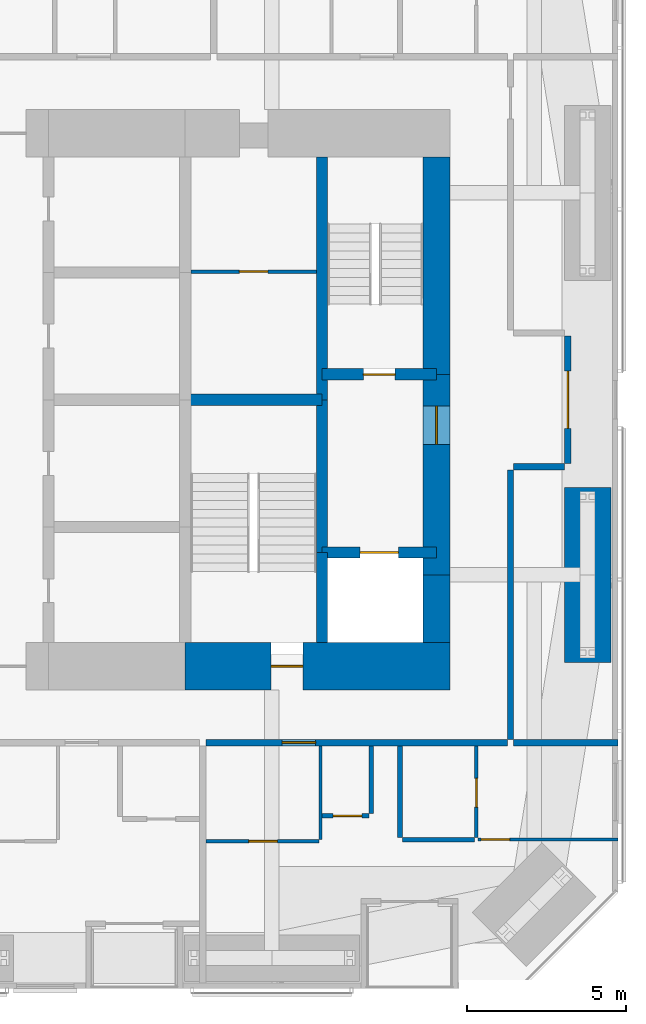
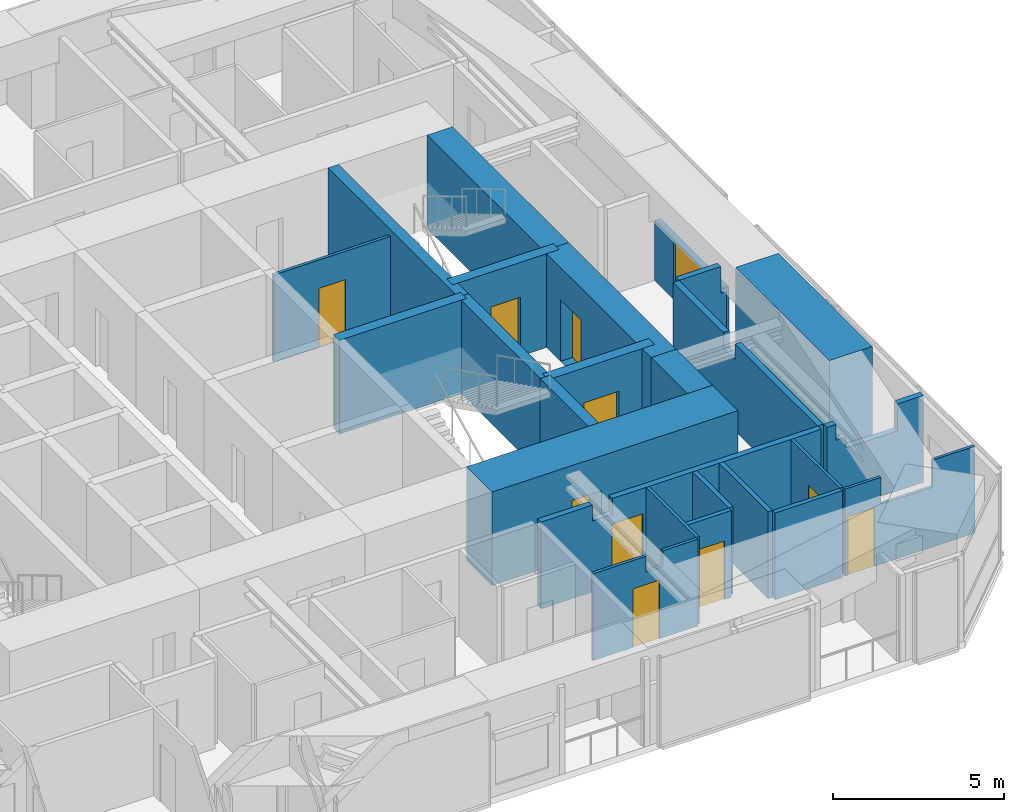
# One storey, part 21 of 25: 25 walls, 11 doors, 11 openings.
"""IFC4 building model written with IfcOpenShell, lengths in metres."""

from ifc_helpers import new_model, si_unit, direction, frame, frame_2d, origin, place, context, subcontext, project, spatial, polyline, rectangle, outline, extrude, material, layer, layer_set, constituent, constituent_set, type_object, element, fill, save


model = new_model("IFC4")

# Units and contexts
model_context = context("Model", 3, precision=1e-05, world=origin(), true_north=direction((0.0, 1.0)))
body_context = subcontext(model_context, "Body", "Model", "MODEL_VIEW")
ifc_project = project(units=[si_unit("LENGTHUNIT", "METRE"), si_unit("AREAUNIT", "SQUARE_METRE"), si_unit("VOLUMEUNIT", "CUBIC_METRE"), si_unit("PLANEANGLEUNIT", "RADIAN"), si_unit("MASSUNIT", "GRAM", prefix="KILO")], contexts=[model_context])

# Site, building, storey
site_placement = place(None, origin())
site = spatial("IfcSite", under=ifc_project, at=site_placement, CompositionType="ELEMENT")
building_placement = place(site_placement, origin())
building = spatial("IfcBuilding", under=site, at=building_placement, Name="Jalousie Tower", CompositionType="ELEMENT")
storey_placement = place(building_placement, frame((0.0, 0.0, 98.14990234375)))
storey = spatial("IfcBuildingStorey", under=building, at=storey_placement, Name="L26", CompositionType="ELEMENT", Elevation=98.14990234375)

# Walls
ifc_material_1 = material(Name="Concrete block ASTM C90", Category="concrete")
ifc_constituent_1 = constituent(ifc_material_1, Name="Body")
ifc_material_2 = material(Name="Render")
ifc_constituent_2 = constituent(ifc_material_2, Name="Finish")
ifc_constituent_set_1 = constituent_set(constituents=[ifc_constituent_1, ifc_constituent_2])
wall_type_1 = type_object("IfcWallType", Name="BATHROOM WALL 150", PredefinedType="PLUMBINGWALL", material=ifc_constituent_set_1)
wall_1_placement = place(storey_placement, frame((42.72509765625, 4.67578125, 0.0), z_axis=(0.0, 0.0, 1.0), x_axis=(1.0, 0.0, 0.0)))
element("IfcWall", 1, at=wall_1_placement, inside=storey, type_object=wall_type_1, Name="Bathroom Wall 150 L26", PredefinedType="PLUMBINGWALL", context=body_context, shape_type="SweptSolid", body=[
    extrude(rectangle(XDim=2.27490234375, YDim=0.14990234375, at=frame_2d((1.137451171875, 0.0))), origin(), (0.0, 0.0, 1.0), 3.110107421875),
])
wall_2_placement = place(storey_placement, frame((42.64990234375, 4.7509765625, 0.0), z_axis=(0.0, 0.0, 1.0), x_axis=(0.0, 1.0, 0.0)))
element("IfcWall", 2, at=wall_2_placement, inside=storey, type_object=wall_type_1, Name="Bathroom Wall 150 L26", PredefinedType="PLUMBINGWALL", context=body_context, shape_type="SweptSolid", body=[
    extrude(rectangle(XDim=2.8740234375, YDim=0.14990234375, at=frame_2d((1.43701171875, 0.0))), origin(), (0.0, 0.0, 1.0), 3.110107421875),
])

# Wall, opening, door
wall_3_placement = place(storey_placement, frame((40.199951171875, 5.425048828125, 0.0), z_axis=(0.0, 0.0, 1.0), x_axis=(1.0, 0.0, 0.0)))
wall_3 = element("IfcWall", 3, at=wall_3_placement, inside=storey, type_object=wall_type_1, Name="Bathroom Wall 150 L26", PredefinedType="PLUMBINGWALL", context=body_context, shape_type="SweptSolid", body=[
    extrude(rectangle(XDim=1.47509765625, YDim=0.14990234375, at=frame_2d((0.737548828125, 0.0))), origin(), (0.0, 0.0, 1.0), 3.110107421875),
])
opening_1_placement = place(wall_3_placement, frame((0.35009765625, 0.0, 0.0)))
opening_1 = element("IfcOpeningElement", 4, at=opening_1_placement, cuts=wall_3, Name="Opening D7", PredefinedType="OPENING", context=body_context, shape_type="SweptSolid", body=[
    extrude(rectangle(XDim=0.89990234375, YDim=2.10009765625, at=frame_2d((0.449951171875, 1.050048828125))), frame((0.0, 0.0849609375, 0.0), z_axis=(0.0, -1.0, 0.0), x_axis=(1.0, 0.0, 0.0)), (0.0, 0.0, 1.0), 0.169921875),
])
ifc_material_3 = material(Name="Timber door", Category="wood")
door_type_1 = type_object("IfcDoorType", Name="INTERNAL DOOR 900", OperationType="SINGLE_SWING_LEFT", PredefinedType="DOOR", material=ifc_material_3)
door_1_placement = place(opening_1_placement, origin())
door_1 = element("IfcDoor", 5, at=door_1_placement, inside=storey, type_object=door_type_1, Name="Apartment 2603 guest WC door", OperationType="SINGLE_SWING_RIGHT", OverallHeight=2.10009765625, OverallWidth=0.89990234375, PredefinedType="DOOR", context=body_context, shape_type="SweptSolid", body=[
    extrude(rectangle(XDim=0.89990234375, YDim=2.10009765625, at=frame_2d((0.449951171875, 1.050048828125))), frame((0.0, 0.02490234375, 0.0), z_axis=(0.0, -1.0, 0.0), x_axis=(1.0, 0.0, 0.0)), (0.0, 0.0, 1.0), 0.050048828125),
])
fill(opening_1, door_1)

# Wall
wall_4_placement = place(storey_placement, frame((41.75, 5.5, 0.0), z_axis=(0.0, 0.0, 1.0), x_axis=(0.0, 1.0, 0.0)))
element("IfcWall", 6, at=wall_4_placement, inside=storey, type_object=wall_type_1, Name="Bathroom Wall 150 L26", PredefinedType="PLUMBINGWALL", context=body_context, shape_type="SweptSolid", body=[
    extrude(rectangle(XDim=2.125, YDim=0.14990234375, at=frame_2d((1.0625, 0.0))), origin(), (0.0, 0.0, 1.0), 3.110107421875),
])

# Wall, opening, door
ifc_material_4 = material(Name="Concrete f'c 120 MPa", Category="concrete")
ifc_layer_1 = layer(ifc_material_4, 1.5)
ifc_layer_set_1 = layer_set([ifc_layer_1], Name="Concrete f'c 120 MPa")
wall_type_2 = type_object("IfcWallType", Name="CORE WALL 1500", PredefinedType="SHEAR", material=ifc_layer_set_1)
wall_5_placement = place(storey_placement, frame((35.89990234375, 10.125, 0.0), z_axis=(0.0, 0.0, 1.0), x_axis=(1.0, 0.0, 0.0)))
wall_5 = element("IfcWall", 7, at=wall_5_placement, inside=storey, type_object=wall_type_2, Name="Core wall SD L26", PredefinedType="SHEAR", context=body_context, shape_type="SweptSolid", body=[
    extrude(rectangle(XDim=8.3251953125, YDim=1.5, at=frame_2d((4.16259765625, 0.0))), origin(), (0.0, 0.0, 1.0), 3.35009765625),
])
opening_2_placement = place(wall_5_placement, frame((2.699951171875, 0.0, 0.0)))
opening_2 = element("IfcOpeningElement", 8, at=opening_2_placement, cuts=wall_5, Name="Opening D10", PredefinedType="OPENING", context=body_context, shape_type="SweptSolid", body=[
    extrude(rectangle(XDim=1.0, YDim=2.10009765625, at=frame_2d((0.5, 1.050048828125))), frame((0.0, 0.760009765625, 0.0), z_axis=(0.0, -1.0, 0.0), x_axis=(1.0, 0.0, 0.0)), (0.0, 0.0, 1.0), 1.52001953125),
])
ifc_material_5 = material(Name="Steel fire door", Category="steel")
door_type_2 = type_object("IfcDoorType", Name="STAIR DOOR 1000", OperationType="SINGLE_SWING_LEFT", PredefinedType="DOOR", material=ifc_material_5)
door_2_placement = place(opening_2_placement, origin())
door_2 = element("IfcDoor", 9, at=door_2_placement, inside=storey, type_object=door_type_2, Name="Exit stair C door", OperationType="SINGLE_SWING_RIGHT", OverallHeight=2.10009765625, OverallWidth=1.0, PredefinedType="DOOR", context=body_context, shape_type="SweptSolid", body=[
    extrude(rectangle(XDim=1.0, YDim=2.10009765625, at=frame_2d((0.5, 1.050048828125))), frame((0.0, 0.02490234375, 0.0), z_axis=(0.0, -1.0, 0.0), x_axis=(1.0, 0.0, 0.0)), (0.0, 0.0, 1.0), 0.050048828125),
])
fill(opening_2, door_2)

# Walls
ifc_material_6 = material(Name="Concrete f'c 120 MPa", Category="concrete")
ifc_layer_2 = layer(ifc_material_6, 0.35009765625)
ifc_layer_set_2 = layer_set([ifc_layer_2], Name="Concrete f'c 120 MPa")
wall_type_3 = type_object("IfcWallType", Name="CORE WALL 350", PredefinedType="SHEAR", material=ifc_layer_set_2)
wall_6_placement = place(storey_placement, frame((40.199951171875, 10.875, 0.0), z_axis=(0.0, 0.0, 1.0), x_axis=(0.0, 1.0, 0.0)))
element("IfcWall", 10, at=wall_6_placement, inside=storey, type_object=wall_type_3, Name="Core wall X40.2A L26", PredefinedType="SHEAR", context=body_context, shape_type="SweptSolid", body=[
    extrude(rectangle(XDim=2.824951171875, YDim=0.35009765625, at=frame_2d((1.41259765625, 0.0))), origin(), (0.0, 0.0, 1.0), 3.35009765625),
])
wall_7_placement = place(storey_placement, frame((40.199951171875, 13.699951171875, 0.0), z_axis=(0.0, 0.0, 1.0), x_axis=(0.0, 1.0, 0.0)))
element("IfcWall", 11, at=wall_7_placement, inside=storey, type_object=wall_type_3, Name="Core wall X40.2B L26", PredefinedType="SHEAR", context=body_context, shape_type="SweptSolid", body=[
    extrude(rectangle(XDim=4.800048828125, YDim=0.35009765625, at=frame_2d((2.39990234375, 0.0))), origin(), (0.0, 0.0, 1.0), 3.35009765625),
])
wall_8_placement = place(storey_placement, frame((40.199951171875, 18.5, 0.0), z_axis=(0.0, 0.0, 1.0), x_axis=(0.0, 1.0, 0.0)))
element("IfcWall", 12, at=wall_8_placement, inside=storey, type_object=wall_type_3, Name="Core wall X40.2C L26", PredefinedType="SHEAR", context=body_context, shape_type="SweptSolid", body=[
    extrude(rectangle(XDim=7.625, YDim=0.35009765625, at=frame_2d((3.8125, 0.0))), origin(), (0.0, 0.0, 1.0), 3.35009765625),
])
wall_9_placement = place(storey_placement, frame((35.89990234375, 18.5, 0.0), z_axis=(0.0, 0.0, 1.0), x_axis=(1.0, 0.0, 0.0)))
element("IfcWall", 13, at=wall_9_placement, inside=storey, type_object=wall_type_3, Name="Core wall Y35.9-18.5 L26", PredefinedType="SHEAR", context=body_context, shape_type="SweptSolid", body=[
    extrude(rectangle(XDim=4.300048828125, YDim=0.35009765625, at=frame_2d((2.14990234375, 0.0))), origin(), (0.0, 0.0, 1.0), 3.35009765625),
])

# Wall, opening, door
wall_10_placement = place(storey_placement, frame((40.199951171875, 13.699951171875, 0.0), z_axis=(0.0, 0.0, 1.0), x_axis=(1.0, 0.0, 0.0)))
wall_10 = element("IfcWall", 14, at=wall_10_placement, inside=storey, type_object=wall_type_3, Name="Core wall Y40.2-13.7 L26", PredefinedType="SHEAR", context=body_context, shape_type="SweptSolid", body=[
    extrude(rectangle(XDim=3.60009765625, YDim=0.35009765625, at=frame_2d((1.800048828125, 0.0))), origin(), (0.0, 0.0, 1.0), 3.35009765625),
])
opening_3_placement = place(wall_10_placement, frame((1.199951171875, 0.0, 0.0)))
opening_3 = element("IfcOpeningElement", 15, at=opening_3_placement, cuts=wall_10, Name="Opening LD2", PredefinedType="OPENING", context=body_context, shape_type="SweptSolid", body=[
    extrude(rectangle(XDim=1.199951171875, YDim=2.10009765625, at=frame_2d((0.60009765625, 1.050048828125))), frame((0.0, 0.18505859375, 0.0), z_axis=(0.0, -1.0, 0.0), x_axis=(1.0, 0.0, 0.0)), (0.0, 0.0, 1.0), 0.3701171875),
])
ifc_material_7 = material(Name="Steel lift landing door", Category="steel")
door_type_3 = type_object("IfcDoorType", Name="LIFT LANDING DOOR 1200", OperationType="SLIDING_TO_LEFT", PredefinedType="DOOR", material=ifc_material_7)
door_3_placement = place(opening_3_placement, origin())
door_3 = element("IfcDoor", 16, at=door_3_placement, inside=storey, type_object=door_type_3, Name="Lift F2 landing door", OperationType="SLIDING_TO_LEFT", OverallHeight=2.10009765625, OverallWidth=1.199951171875, PredefinedType="DOOR", context=body_context, shape_type="SweptSolid", body=[
    extrude(rectangle(XDim=1.199951171875, YDim=2.10009765625, at=frame_2d((0.60009765625, 1.050048828125))), frame((0.0, 0.02490234375, 0.0), z_axis=(0.0, -1.0, 0.0), x_axis=(1.0, 0.0, 0.0)), (0.0, 0.0, 1.0), 0.050048828125),
])
fill(opening_3, door_3)

wall_11_placement = place(storey_placement, frame((40.199951171875, 19.300048828125, 0.0), z_axis=(0.0, 0.0, 1.0), x_axis=(1.0, 0.0, 0.0)))
wall_11 = element("IfcWall", 17, at=wall_11_placement, inside=storey, type_object=wall_type_3, Name="Core wall Y40.2-19.3 L26", PredefinedType="SHEAR", context=body_context, shape_type="SweptSolid", body=[
    extrude(rectangle(XDim=3.60009765625, YDim=0.35009765625, at=frame_2d((1.800048828125, 0.0))), origin(), (0.0, 0.0, 1.0), 3.35009765625),
])
opening_4_placement = place(wall_11_placement, frame((1.300048828125, 0.0, 0.0)))
opening_4 = element("IfcOpeningElement", 18, at=opening_4_placement, cuts=wall_11, Name="Opening D10", PredefinedType="OPENING", context=body_context, shape_type="SweptSolid", body=[
    extrude(rectangle(XDim=1.0, YDim=2.10009765625, at=frame_2d((0.5, 1.050048828125))), frame((0.0, 0.18505859375, 0.0), z_axis=(0.0, -1.0, 0.0), x_axis=(1.0, 0.0, 0.0)), (0.0, 0.0, 1.0), 0.3701171875),
])
door_4_placement = place(opening_4_placement, origin())
door_4 = element("IfcDoor", 19, at=door_4_placement, inside=storey, type_object=door_type_2, Name="Exit stair B door", OperationType="SINGLE_SWING_RIGHT", OverallHeight=2.10009765625, OverallWidth=1.0, PredefinedType="DOOR", context=body_context, shape_type="SweptSolid", body=[
    extrude(rectangle(XDim=1.0, YDim=2.10009765625, at=frame_2d((0.5, 1.050048828125))), frame((0.0, 0.02490234375, 0.0), z_axis=(0.0, -1.0, 0.0), x_axis=(1.0, 0.0, 0.0)), (0.0, 0.0, 1.0), 0.050048828125),
])
fill(opening_4, door_4)

# Wall
ifc_material_8 = material(Name="Concrete f'c 120 MPa", Category="concrete")
ifc_layer_3 = layer(ifc_material_8, 0.85009765625)
ifc_layer_set_3 = layer_set([ifc_layer_3], Name="Concrete f'c 120 MPa")
wall_type_4 = type_object("IfcWallType", Name="CORE WALL 850", PredefinedType="SHEAR", material=ifc_layer_set_3)
wall_12_placement = place(storey_placement, frame((43.800048828125, 10.875, 0.0), z_axis=(0.0, 0.0, 1.0), x_axis=(0.0, 1.0, 0.0)))
element("IfcWall", 20, at=wall_12_placement, inside=storey, type_object=wall_type_4, Name="Core wall EA L26", PredefinedType="SHEAR", context=body_context, shape_type="SweptSolid", body=[
    extrude(rectangle(XDim=2.125, YDim=0.85009765625, at=frame_2d((1.0625, 0.0))), origin(), (0.0, 0.0, 1.0), 3.35009765625),
])

# Wall, opening, door
wall_13_placement = place(storey_placement, frame((43.800048828125, 13.0, 0.0), z_axis=(0.0, 0.0, 1.0), x_axis=(0.0, 1.0, 0.0)))
wall_13 = element("IfcWall", 21, at=wall_13_placement, inside=storey, type_object=wall_type_4, Name="Core wall EB L26", PredefinedType="SHEAR", context=body_context, shape_type="SweptSolid", body=[
    extrude(rectangle(XDim=6.300048828125, YDim=0.85009765625, at=frame_2d((3.14990234375, 0.0))), origin(), (0.0, 0.0, 1.0), 3.35009765625),
])
opening_5_placement = place(wall_13_placement, frame((4.10009765625, 0.0, 0.0)))
opening_5 = element("IfcOpeningElement", 22, at=opening_5_placement, cuts=wall_13, Name="Opening D11", PredefinedType="OPENING", context=body_context, shape_type="SweptSolid", body=[
    extrude(rectangle(XDim=1.199951171875, YDim=2.199951171875, at=frame_2d((0.60009765625, 1.10009765625))), frame((0.0, 0.43505859375, 0.0), z_axis=(0.0, -1.0, 0.0), x_axis=(1.0, 0.0, 0.0)), (0.0, 0.0, 1.0), 0.8701171875),
])
ifc_material_9 = material(Name="Steel fire door", Category="steel")
door_type_4 = type_object("IfcDoorType", Name="FIRE DOOR 1200", OperationType="SINGLE_SWING_LEFT", PredefinedType="DOOR", material=ifc_material_9)
door_5_placement = place(opening_5_placement, origin())
door_5 = element("IfcDoor", 23, at=door_5_placement, inside=storey, type_object=door_type_4, Name="Fire-fighting lobby B door", OperationType="SINGLE_SWING_RIGHT", OverallHeight=2.199951171875, OverallWidth=1.199951171875, PredefinedType="DOOR", context=body_context, shape_type="SweptSolid", body=[
    extrude(rectangle(XDim=1.199951171875, YDim=2.199951171875, at=frame_2d((0.60009765625, 1.10009765625))), frame((0.0, 0.02490234375, 0.0), z_axis=(0.0, -1.0, 0.0), x_axis=(1.0, 0.0, 0.0)), (0.0, 0.0, 1.0), 0.050048828125),
])
fill(opening_5, door_5)

# Wall
wall_14_placement = place(storey_placement, frame((43.800048828125, 19.300048828125, 0.0), z_axis=(0.0, 0.0, 1.0), x_axis=(0.0, 1.0, 0.0)))
element("IfcWall", 24, at=wall_14_placement, inside=storey, type_object=wall_type_4, Name="Core wall EC L26", PredefinedType="SHEAR", context=body_context, shape_type="SweptSolid", body=[
    extrude(rectangle(XDim=6.824951171875, YDim=0.85009765625, at=frame_2d((3.41259765625, 0.0))), origin(), (0.0, 0.0, 1.0), 3.35009765625),
])

# Wall, opening, door
ifc_material_10 = material(Name="Concrete block ASTM C90", Category="concrete")
ifc_constituent_3 = constituent(ifc_material_10, Name="Body")
ifc_material_11 = material(Name="Render")
ifc_constituent_4 = constituent(ifc_material_11, Name="Finish")
ifc_constituent_set_2 = constituent_set(constituents=[ifc_constituent_3, ifc_constituent_4])
wall_type_5 = type_object("IfcWallType", Name="CORRIDOR WALL 200", PredefinedType="PARTITIONING", material=ifc_constituent_set_2)
wall_15_placement = place(storey_placement, frame((36.550048828125, 7.72509765625, 0.0), z_axis=(0.0, 0.0, 1.0), x_axis=(1.0, 0.0, 0.0)))
wall_15 = element("IfcWall", 25, at=wall_15_placement, inside=storey, type_object=wall_type_5, Name="Corridor Wall 200 L26", PredefinedType="PARTITIONING", context=body_context, shape_type="SweptSolid", body=[
    extrude(outline(polyline([(0.0, 0.0), (9.474853515625, 0.0), (9.47509765625, 3.110107421875), (2.412353515625, 3.110107421875), (2.412353515625, 2.541015625), (1.737548828125, 2.541015625), (1.737548828125, 3.110107421875), (0.0, 3.110107421875), (0.0, 0.0)])), frame((0.0, 0.10009765625, 0.0), z_axis=(0.0, -1.0, 0.0), x_axis=(1.0, 0.0, 0.0)), (0.0, 0.0, 1.0), 0.199951171875),
])
opening_6_placement = place(wall_15_placement, frame((2.39990234375, 0.0, 0.0)))
opening_6 = element("IfcOpeningElement", 26, at=opening_6_placement, cuts=wall_15, Name="Opening D1", PredefinedType="OPENING", context=body_context, shape_type="SweptSolid", body=[
    extrude(rectangle(XDim=1.050048828125, YDim=2.199951171875, at=frame_2d((0.52490234375, 1.10009765625))), frame((0.0, 0.10986328125, 0.0), z_axis=(0.0, -1.0, 0.0), x_axis=(1.0, 0.0, 0.0)), (0.0, 0.0, 1.0), 0.219970703125),
])
ifc_material_12 = material(Name="Timber fire door", Category="wood")
door_type_5 = type_object("IfcDoorType", Name="APARTMENT ENTRANCE DOOR 1050", OperationType="SINGLE_SWING_LEFT", PredefinedType="DOOR", material=ifc_material_12)
door_6_placement = place(opening_6_placement, frame((1.050048828125, 0.0, 0.0), z_axis=(0.0, 0.0, 1.0), x_axis=(-1.0, 0.0, 0.0)))
door_6 = element("IfcDoor", 27, at=door_6_placement, inside=storey, type_object=door_type_5, Name="Apartment 2603 entrance", OperationType="SINGLE_SWING_LEFT", OverallHeight=2.199951171875, OverallWidth=1.050048828125, PredefinedType="DOOR", context=body_context, shape_type="SweptSolid", body=[
    extrude(rectangle(XDim=1.050048828125, YDim=2.199951171875, at=frame_2d((0.52490234375, 1.10009765625))), frame((0.0, 0.02490234375, 0.0), z_axis=(0.0, -1.0, 0.0), x_axis=(1.0, 0.0, 0.0)), (0.0, 0.0, 1.0), 0.050048828125),
])
fill(opening_6, door_6)

# Wall
wall_16_placement = place(storey_placement, frame((46.125, 7.824951171875, 0.0), z_axis=(0.0, 0.0, 1.0), x_axis=(0.0, 1.0, 0.0)))
element("IfcWall", 28, at=wall_16_placement, inside=storey, type_object=wall_type_5, Name="Corridor Wall 200 L26", PredefinedType="PARTITIONING", context=body_context, shape_type="SweptSolid", body=[
    extrude(outline(polyline([(0.0, 0.0), (8.47509765625, 0.0), (8.47509765625, 3.110107421875), (5.51220703125, 3.110107421875), (5.51220703125, 2.541015625), (4.837646484375, 2.541015625), (4.837646484375, 3.110107421875), (0.0, 3.110107421875), (0.0, 0.0)])), frame((0.0, 0.10009765625, 0.0), z_axis=(0.0, -1.0, 0.0), x_axis=(1.0, 0.0, 0.0)), (0.0, 0.0, 1.0), 0.199951171875),
])

# Wall, opening, door
wall_17_placement = place(storey_placement, frame((47.925048828125, 16.5, 0.0), z_axis=(0.0, 0.0, 1.0), x_axis=(0.0, 1.0, 0.0)))
wall_17 = element("IfcWall", 29, at=wall_17_placement, inside=storey, type_object=wall_type_5, Name="Corridor Wall 200 L26", PredefinedType="PARTITIONING", context=body_context, shape_type="SweptSolid", body=[
    extrude(outline(polyline([(0.0, 0.0), (4.0, 0.0), (4.0, 3.110107421875), (4.0, 2.150146484375), (0.0, 2.150146484375), (0.0, 3.110107421875), (0.0, 0.0)])), frame((0.0, 0.10009765625, 0.0), z_axis=(0.0, -1.0, 0.0), x_axis=(1.0, 0.0, 0.0)), (0.0, 0.0, 1.0), 0.199951171875),
])
opening_7_placement = place(wall_17_placement, frame((1.10009765625, 0.0, 0.0)))
opening_7 = element("IfcOpeningElement", 30, at=opening_7_placement, cuts=wall_17, Name="Opening D22", PredefinedType="OPENING", context=body_context, shape_type="SweptSolid", body=[
    extrude(rectangle(XDim=1.800048828125, YDim=2.10009765625, at=frame_2d((0.89990234375, 1.050048828125))), frame((0.0, 0.10986328125, 0.0), z_axis=(0.0, -1.0, 0.0), x_axis=(1.0, 0.0, 0.0)), (0.0, 0.0, 1.0), 0.219970703125),
])
ifc_material_13 = material(Name="Timber fire door", Category="wood")
door_type_6 = type_object("IfcDoorType", Name="CORRIDOR DOUBLE DOOR 1800", OperationType="DOUBLE_DOOR_SINGLE_SWING", PredefinedType="DOOR", material=ifc_material_13)
door_7_placement = place(opening_7_placement, frame((1.800048828125, 0.0, 0.0), z_axis=(0.0, 0.0, 1.0), x_axis=(-1.0, 0.0, 0.0)))
door_7 = element("IfcDoor", 31, at=door_7_placement, inside=storey, type_object=door_type_6, Name="Lounge door", OperationType="DOUBLE_DOOR_SINGLE_SWING", OverallHeight=2.10009765625, OverallWidth=1.800048828125, PredefinedType="DOOR", context=body_context, shape_type="SweptSolid", body=[
    extrude(rectangle(XDim=1.800048828125, YDim=2.10009765625, at=frame_2d((0.89990234375, 1.050048828125))), frame((0.0, 0.02490234375, 0.0), z_axis=(0.0, -1.0, 0.0), x_axis=(1.0, 0.0, 0.0)), (0.0, 0.0, 1.0), 0.050048828125),
])
fill(opening_7, door_7)

# Wall
wall_18_placement = place(storey_placement, frame((46.22509765625, 16.39990234375, 0.0), z_axis=(0.0, 0.0, 1.0), x_axis=(1.0, 0.0, 0.0)))
element("IfcWall", 32, at=wall_18_placement, inside=storey, type_object=wall_type_5, Name="Corridor Wall 200 L26", PredefinedType="PARTITIONING", context=body_context, shape_type="SweptSolid", body=[
    extrude(outline(polyline([(0.0, 0.0), (1.599853515625, 0.0), (1.60009765625, 3.110107421875), (1.60009765625, 2.150146484375), (1.4150390625, 2.150146484375), (1.4150390625, 3.110107421875), (0.0, 3.110107421875), (0.0, 0.0)])), frame((0.0, 0.10009765625, 0.0), z_axis=(0.0, -1.0, 0.0), x_axis=(1.0, 0.0, 0.0)), (0.0, 0.0, 1.0), 0.199951171875),
])

# Wall, opening, door
ifc_material_14 = material(Name="Gypsum board", Category="gypsum")
ifc_constituent_5 = constituent(ifc_material_14, Name="Body")
ifc_material_15 = material(Name="Light-gauge steel studs ASTM A653 SS Grade 33", Category="steel")
ifc_constituent_6 = constituent(ifc_material_15, Name="Framing")
ifc_constituent_set_3 = constituent_set(constituents=[ifc_constituent_5, ifc_constituent_6])
wall_type_6 = type_object("IfcWallType", Name="PARTITION 100", PredefinedType="PARTITIONING", material=ifc_constituent_set_3)
wall_19_placement = place(storey_placement, frame((45.050048828125, 4.7509765625, 0.0), z_axis=(0.0, 0.0, 1.0), x_axis=(0.0, 1.0, 0.0)))
wall_19 = element("IfcWall", 33, at=wall_19_placement, inside=storey, type_object=wall_type_6, Name="Partition 100 L26", PredefinedType="PARTITIONING", context=body_context, shape_type="SweptSolid", body=[
    extrude(rectangle(XDim=2.8740234375, YDim=0.10009765625, at=frame_2d((1.43701171875, 0.0))), origin(), (0.0, 0.0, 1.0), 3.110107421875),
])
opening_8_placement = place(wall_19_placement, frame((0.949462890625, 0.0, 0.0)))
opening_8 = element("IfcOpeningElement", 34, at=opening_8_placement, cuts=wall_19, Name="Opening D3", PredefinedType="OPENING", context=body_context, shape_type="SweptSolid", body=[
    extrude(rectangle(XDim=0.89990234375, YDim=2.10009765625, at=frame_2d((0.449951171875, 1.050048828125))), frame((0.0, 0.06005859375, 0.0), z_axis=(0.0, -1.0, 0.0), x_axis=(1.0, 0.0, 0.0)), (0.0, 0.0, 1.0), 0.1201171875),
])
ifc_material_16 = material(Name="Timber door", Category="wood")
door_type_7 = type_object("IfcDoorType", Name="BATHROOM DOOR 900", OperationType="SINGLE_SWING_LEFT", PredefinedType="DOOR", material=ifc_material_16)
door_8_placement = place(opening_8_placement, origin())
door_8 = element("IfcDoor", 35, at=door_8_placement, inside=storey, type_object=door_type_7, Name="Apartment 2603 bedroom 1 bathroom door", OperationType="SINGLE_SWING_LEFT", OverallHeight=2.10009765625, OverallWidth=0.89990234375, PredefinedType="DOOR", context=body_context, shape_type="SweptSolid", body=[
    extrude(rectangle(XDim=0.89990234375, YDim=2.10009765625, at=frame_2d((0.449951171875, 1.050048828125))), frame((0.0, 0.02490234375, 0.0), z_axis=(0.0, -1.0, 0.0), x_axis=(1.0, 0.0, 0.0)), (0.0, 0.0, 1.0), 0.050048828125),
])
fill(opening_8, door_8)

wall_20_placement = place(storey_placement, frame((45.10009765625, 4.67578125, 0.0), z_axis=(0.0, 0.0, 1.0), x_axis=(1.0, 0.0, 0.0)))
wall_20 = element("IfcWall", 36, at=wall_20_placement, inside=storey, type_object=wall_type_6, Name="Partition 100 L26", PredefinedType="PARTITIONING", context=body_context, shape_type="SweptSolid", body=[
    extrude(outline(polyline([(0.0, 0.0), (4.39990234375, 0.0), (4.39990234375, 3.110107421875), (2.971435546875, 3.110107421875), (2.971435546875, 2.150146484375), (1.22900390625, 2.150146484375), (1.22900390625, 3.110107421875), (0.0, 3.110107421875), (0.0, 0.0)])), frame((0.0, 0.050048828125, 0.0), z_axis=(0.0, -1.0, 0.0), x_axis=(1.0, 0.0, 0.0)), (0.0, 0.0, 1.0), 0.10009765625),
])
opening_9_placement = place(wall_20_placement, frame((0.10009765625, 0.0, 0.0)))
opening_9 = element("IfcOpeningElement", 37, at=opening_9_placement, cuts=wall_20, Name="Opening D2", PredefinedType="OPENING", context=body_context, shape_type="SweptSolid", body=[
    extrude(rectangle(XDim=0.89990234375, YDim=2.10009765625, at=frame_2d((0.449951171875, 1.050048828125))), frame((0.0, 0.06005859375, 0.0), z_axis=(0.0, -1.0, 0.0), x_axis=(1.0, 0.0, 0.0)), (0.0, 0.0, 1.0), 0.1201171875),
])
ifc_material_17 = material(Name="Timber door", Category="wood")
door_type_8 = type_object("IfcDoorType", Name="BEDROOM DOOR 900", OperationType="SINGLE_SWING_LEFT", PredefinedType="DOOR", material=ifc_material_17)
door_9_placement = place(opening_9_placement, origin())
door_9 = element("IfcDoor", 38, at=door_9_placement, inside=storey, type_object=door_type_8, Name="Apartment 2603 bedroom 1 door", OperationType="SINGLE_SWING_LEFT", OverallHeight=2.10009765625, OverallWidth=0.89990234375, PredefinedType="DOOR", context=body_context, shape_type="SweptSolid", body=[
    extrude(rectangle(XDim=0.89990234375, YDim=2.10009765625, at=frame_2d((0.449951171875, 1.050048828125))), frame((0.0, 0.02490234375, 0.0), z_axis=(0.0, -1.0, 0.0), x_axis=(1.0, 0.0, 0.0)), (0.0, 0.0, 1.0), 0.050048828125),
])
fill(opening_9, door_9)

wall_21_placement = place(storey_placement, frame((36.550048828125, 4.625, 0.0), z_axis=(0.0, 0.0, 1.0), x_axis=(1.0, 0.0, 0.0)))
wall_21 = element("IfcWall", 39, at=wall_21_placement, inside=storey, type_object=wall_type_6, Name="Partition 100 L26", PredefinedType="PARTITIONING", context=body_context, shape_type="SweptSolid", body=[
    extrude(outline(polyline([(0.0, 0.0), (3.550048828125, 0.0), (3.550048828125, 3.110107421875), (2.3623046875, 3.110107421875), (2.3623046875, 2.541015625), (1.78759765625, 2.541015625), (1.78759765625, 3.110107421875), (0.0, 3.110107421875), (0.0, 0.0)])), frame((0.0, 0.050048828125, 0.0), z_axis=(0.0, -1.0, 0.0), x_axis=(1.0, 0.0, 0.0)), (0.0, 0.0, 1.0), 0.10009765625),
])
opening_10_placement = place(wall_21_placement, frame((1.35009765625, 0.0, 0.0)))
opening_10 = element("IfcOpeningElement", 40, at=opening_10_placement, cuts=wall_21, Name="Opening D7", PredefinedType="OPENING", context=body_context, shape_type="SweptSolid", body=[
    extrude(rectangle(XDim=0.89990234375, YDim=2.10009765625, at=frame_2d((0.449951171875, 1.050048828125))), frame((0.0, 0.06005859375, 0.0), z_axis=(0.0, -1.0, 0.0), x_axis=(1.0, 0.0, 0.0)), (0.0, 0.0, 1.0), 0.1201171875),
])
door_10_placement = place(opening_10_placement, frame((0.89990234375, 0.0, 0.0), z_axis=(0.0, 0.0, 1.0), x_axis=(-1.0, 0.0, 0.0)))
door_10 = element("IfcDoor", 41, at=door_10_placement, inside=storey, type_object=door_type_1, Name="Apartment 2603 kitchen door", OperationType="SINGLE_SWING_RIGHT", OverallHeight=2.10009765625, OverallWidth=0.89990234375, PredefinedType="DOOR", context=body_context, shape_type="SweptSolid", body=[
    extrude(rectangle(XDim=0.89990234375, YDim=2.10009765625, at=frame_2d((0.449951171875, 1.050048828125))), frame((0.0, 0.02490234375, 0.0), z_axis=(0.0, -1.0, 0.0), x_axis=(1.0, 0.0, 0.0)), (0.0, 0.0, 1.0), 0.050048828125),
])
fill(opening_10, door_10)

# Wall
wall_22_placement = place(storey_placement, frame((40.14990234375, 4.675048828125, 0.0), z_axis=(0.0, 0.0, 1.0), x_axis=(0.0, 1.0, 0.0)))
element("IfcWall", 42, at=wall_22_placement, inside=storey, type_object=wall_type_6, Name="Partition 100 L26", PredefinedType="PARTITIONING", context=body_context, shape_type="SweptSolid", body=[
    extrude(rectangle(XDim=2.949951171875, YDim=0.10009765625, at=frame_2d((1.47509765625, 0.0))), origin(), (0.0, 0.0, 1.0), 3.110107421875),
])

# Wall, opening, door
wall_23_placement = place(storey_placement, frame((36.074951171875, 22.52490234375, 0.0), z_axis=(0.0, 0.0, 1.0), x_axis=(1.0, 0.0, 0.0)))
wall_23 = element("IfcWall", 43, at=wall_23_placement, inside=storey, type_object=wall_type_6, Name="Partition 100 L26", PredefinedType="PARTITIONING", context=body_context, shape_type="SweptSolid", body=[
    extrude(rectangle(XDim=3.949951171875, YDim=0.10009765625, at=frame_2d((1.97509765625, 0.0))), origin(), (0.0, 0.0, 1.0), 3.110107421875),
])
opening_11_placement = place(wall_23_placement, frame((1.52490234375, 0.0, 0.0)))
opening_11 = element("IfcOpeningElement", 44, at=opening_11_placement, cuts=wall_23, Name="Opening D7", PredefinedType="OPENING", context=body_context, shape_type="SweptSolid", body=[
    extrude(rectangle(XDim=0.89990234375, YDim=2.10009765625, at=frame_2d((0.449951171875, 1.050048828125))), frame((0.0, 0.06005859375, 0.0), z_axis=(0.0, -1.0, 0.0), x_axis=(1.0, 0.0, 0.0)), (0.0, 0.0, 1.0), 0.1201171875),
])
door_11_placement = place(opening_11_placement, origin())
door_11 = element("IfcDoor", 45, at=door_11_placement, inside=storey, type_object=door_type_1, Name="Linen store door", OperationType="SINGLE_SWING_RIGHT", OverallHeight=2.10009765625, OverallWidth=0.89990234375, PredefinedType="DOOR", context=body_context, shape_type="SweptSolid", body=[
    extrude(rectangle(XDim=0.89990234375, YDim=2.10009765625, at=frame_2d((0.449951171875, 1.050048828125))), frame((0.0, 0.02490234375, 0.0), z_axis=(0.0, -1.0, 0.0), x_axis=(1.0, 0.0, 0.0)), (0.0, 0.0, 1.0), 0.050048828125),
])
fill(opening_11, door_11)

# Walls
ifc_material_18 = material(Name="Concrete block ASTM C90", Category="concrete")
ifc_constituent_7 = constituent(ifc_material_18, Name="Body")
ifc_material_19 = material(Name="Render")
ifc_constituent_8 = constituent(ifc_material_19, Name="Finish")
ifc_constituent_set_4 = constituent_set(constituents=[ifc_constituent_7, ifc_constituent_8])
wall_type_7 = type_object("IfcWallType", Name="PARTY WALL 200", PredefinedType="PARTITIONING", material=ifc_constituent_set_4)
wall_24_placement = place(storey_placement, frame((46.22509765625, 7.72509765625, 0.0), z_axis=(0.0, 0.0, 1.0), x_axis=(1.0, 0.0, 0.0)))
element("IfcWall", 46, at=wall_24_placement, inside=storey, type_object=wall_type_7, Name="Party Wall 200 L26", PredefinedType="PARTITIONING", context=body_context, shape_type="SweptSolid", body=[
    extrude(outline(polyline([(0.0, 0.0), (3.27490234375, 0.0), (3.27490234375, 3.110107421875), (2.3916015625, 3.110107421875), (2.3916015625, 2.150146484375), (0.642822265625, 2.150146484375), (0.642822265625, 2.541015625), (0.30615234375, 2.541015625), (0.30615234375, 3.110107421875), (0.0, 3.110107421875), (0.0, 0.0)])), frame((0.0, 0.10009765625, 0.0), z_axis=(0.0, -1.0, 0.0), x_axis=(1.0, 0.0, 0.0)), (0.0, 0.0, 1.0), 0.199951171875),
])
ifc_material_20 = material(Name="Concrete f'c 120 MPa", Category="concrete")
ifc_layer_4 = layer(ifc_material_20, 1.449951171875)
ifc_layer_set_4 = layer_set([ifc_layer_4], Name="Concrete f'c 120 MPa")
wall_type_8 = type_object("IfcWallType", Name="RC WALL PIER 1450", PredefinedType="SHEAR", material=ifc_layer_set_4)
wall_25_placement = place(storey_placement, frame((48.550048828125, 10.25, 0.0), z_axis=(0.0, 0.0, 1.0), x_axis=(0.0, 1.0, 0.0)))
element("IfcWall", 47, at=wall_25_placement, inside=storey, type_object=wall_type_8, Name="Wall pier 06 L26", PredefinedType="SHEAR", context=body_context, shape_type="SweptSolid", body=[
    extrude(rectangle(XDim=5.5, YDim=1.449951171875, at=frame_2d((2.75, 0.0))), origin(), (0.0, 0.0, 1.0), 3.35009765625),
])

save(model, "model.ifc")
